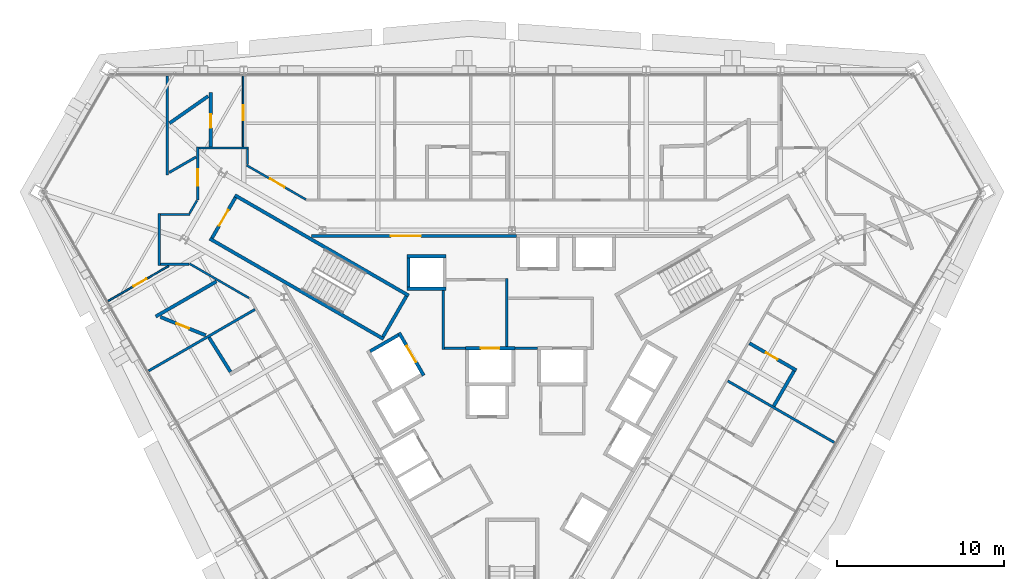
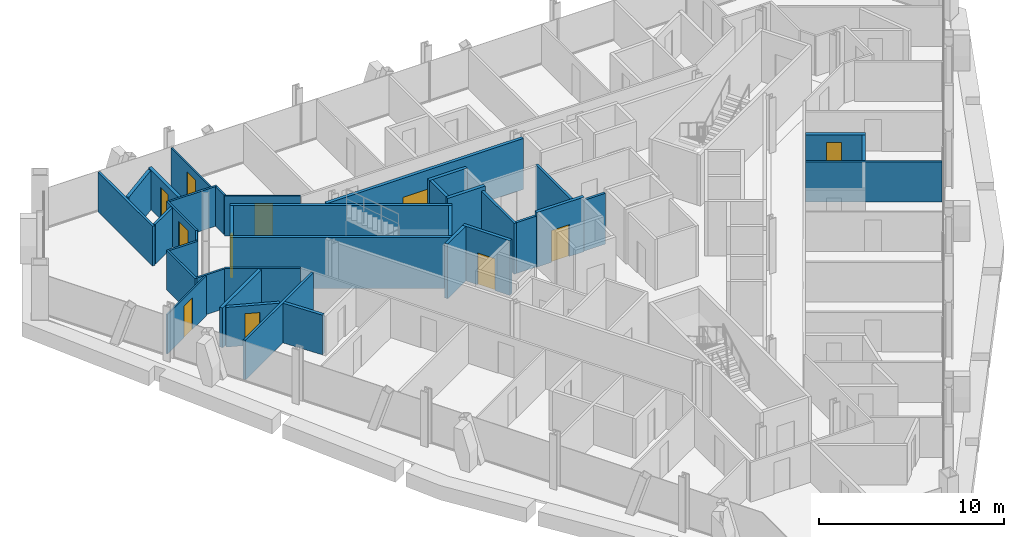
# One storey, part 12 of 16: 37 walls, 11 doors, 11 openings.
"""IFC4 building model written with IfcOpenShell, lengths in metres."""

from ifc_helpers import new_model, si_unit, direction, frame, frame_2d, origin, place, context, subcontext, project, spatial, rectangle, extrude, material, layer, layer_set, type_object, element, fill, save


model = new_model("IFC4")

# Units and contexts
model_context = context("Model", 3, precision=1e-05, world=origin(), true_north=direction((0.0, 1.0)))
body_context = subcontext(model_context, "Body", "Model", "MODEL_VIEW")
ifc_project = project(units=[si_unit("LENGTHUNIT", "METRE"), si_unit("AREAUNIT", "SQUARE_METRE"), si_unit("VOLUMEUNIT", "CUBIC_METRE"), si_unit("PLANEANGLEUNIT", "RADIAN"), si_unit("MASSUNIT", "GRAM", prefix="KILO")], contexts=[model_context])

# Site, building, storey
site_placement = place(None, origin())
site = spatial("IfcSite", under=ifc_project, at=site_placement, CompositionType="ELEMENT")
building_placement = place(site_placement, origin())
building = spatial("IfcBuilding", under=site, at=building_placement, Name="Verrane Prism Tower", CompositionType="ELEMENT")
storey_placement = place(building_placement, frame((0.0, 0.0, 107.199951171875)))
storey = spatial("IfcBuildingStorey", under=building, at=storey_placement, Name="L25", CompositionType="ELEMENT", Elevation=107.199951171875)

# Wall, opening, door
ifc_material_1 = material(Name="Gypsum board partition", Category="other")
ifc_layer_1 = layer(ifc_material_1, 0.199951171875)
ifc_layer_set_1 = layer_set([ifc_layer_1], Name="CW-200 core boundary wall 2 h")
wall_type_1 = type_object("IfcWallType", Name="CW-200 core boundary wall 2 h", PredefinedType="PARTITIONING", material=ifc_layer_set_1)
wall_1_placement = place(storey_placement, frame((0.262939453125, 8.860107421875, 0.0), z_axis=(0.0, 0.0, 1.0), x_axis=(-1.0, 0.0, 0.0)))
wall_1 = element("IfcWall", 1, at=wall_1_placement, inside=storey, type_object=wall_type_1, Name="Core boundary wall CW3-002", PredefinedType="PARTITIONING", context=body_context, shape_type="SweptSolid", body=[
    extrude(rectangle(XDim=12.25390625, YDim=0.199951171875, at=frame_2d((6.126953125, 0.0))), origin(), (0.0, 0.0, 1.0), 3.35009765625),
])
opening_1_placement = place(wall_1_placement, frame((5.708984375, 0.0, 0.0)))
opening_1 = element("IfcOpeningElement", 2, at=opening_1_placement, cuts=wall_1, Name="Opening D24511", PredefinedType="OPENING", context=body_context, shape_type="SweptSolid", body=[
    extrude(rectangle(XDim=1.800048828125, YDim=2.10009765625, at=frame_2d((0.89990234375, 1.050048828125))), frame((0.0, 0.10986328125, 0.0), z_axis=(0.0, -1.0, 0.0), x_axis=(1.0, 0.0, 0.0)), (0.0, 0.0, 1.0), 0.219970703125),
])
ifc_material_2 = material(Name="Timber veneered door leaf", Category="wood")
door_type_1 = type_object("IfcDoorType", Name="DR-1800x2100 FD60 double leaf lift lobby", OperationType="NOTDEFINED", PredefinedType="DOOR", material=ifc_material_2)
door_1_placement = place(opening_1_placement, origin())
door_1 = element("IfcDoor", 3, at=door_1_placement, inside=storey, type_object=door_type_1, Name="Lift lobby door D24511", OperationType="DOUBLE_DOOR_SINGLE_SWING", OverallHeight=2.10009765625, OverallWidth=1.800048828125, PredefinedType="DOOR", context=body_context, shape_type="SweptSolid", body=[
    extrude(rectangle(XDim=1.800048828125, YDim=2.10009765625, at=frame_2d((0.89990234375, 1.050048828125))), frame((0.0, 0.02490234375, 0.0), z_axis=(0.0, -1.0, 0.0), x_axis=(1.0, 0.0, 0.0)), (0.0, 0.0, 1.0), 0.050048828125),
])
fill(opening_1, door_1)

ifc_material_3 = material(Name="Concrete C40/50", Category="concrete")
ifc_layer_2 = layer(ifc_material_3, 0.199951171875)
ifc_layer_set_2 = layer_set([ifc_layer_2], Name="CW-200 stair core wall concrete C40/50 3 h")
wall_type_2 = type_object("IfcWallType", Name="CW-200 stair core wall concrete C40/50 3 h", PredefinedType="PARTITIONING", material=ifc_layer_set_2)
wall_2_placement = place(storey_placement, frame((-16.533935546875, 11.162353515625, 0.0), z_axis=(0.0, 0.0, 1.0), x_axis=(-0.49998411664, -0.866034573852, 0.0)))
wall_2 = element("IfcWall", 4, at=wall_2_placement, inside=storey, type_object=wall_type_2, Name="Stair 2 enclosure wall", PredefinedType="PARTITIONING", context=body_context, shape_type="SweptSolid", body=[
    extrude(rectangle(XDim=2.7998046875, YDim=0.199951171875, at=frame_2d((1.39990234375, 0.0))), origin(), (0.0, 0.0, 1.0), 3.35009765625),
])
opening_2_placement = place(wall_2_placement, frame((0.849853515625, 0.0, 0.0)))
opening_2 = element("IfcOpeningElement", 5, at=opening_2_placement, cuts=wall_2, Name="Opening D24501", PredefinedType="OPENING", context=body_context, shape_type="SweptSolid", body=[
    extrude(rectangle(XDim=1.10009765625, YDim=2.10009765625, at=frame_2d((0.550048828125, 1.050048828125))), frame((0.0, 0.10986328125, 0.0), z_axis=(0.0, -1.0, 0.0), x_axis=(1.0, 0.0, 0.0)), (0.0, 0.0, 1.0), 0.219970703125),
])
ifc_material_4 = material(Name="Timber veneered door leaf", Category="wood")
door_type_2 = type_object("IfcDoorType", Name="DR-1100x2100 FD90 single leaf stair", OperationType="NOTDEFINED", PredefinedType="DOOR", material=ifc_material_4)
door_2_placement = place(opening_2_placement, origin())
door_2 = element("IfcDoor", 6, at=door_2_placement, inside=storey, type_object=door_type_2, Name="Stair 2 door", OperationType="SINGLE_SWING_RIGHT", OverallHeight=2.10009765625, OverallWidth=1.10009765625, PredefinedType="DOOR", context=body_context, shape_type="SweptSolid", body=[
    extrude(rectangle(XDim=1.10009765625, YDim=2.10009765625, at=frame_2d((0.550048828125, 1.050048828125))), frame((0.0, 0.02490234375, 0.0), z_axis=(0.0, -1.0, 0.0), x_axis=(1.0, 0.0, 0.0)), (0.0, 0.0, 1.0), 0.050048828125),
])
fill(opening_2, door_2)

# Walls
for number, where, z_axis, x_axis, name in (
    (7, (-7.67822265625, 2.700927734375, 0.0), (0.0, 0.0, 1.0), (-0.866026010844, 0.49999894854, 0.0), "Stair 2 enclosure wall"),
    (8, (-6.17822265625, 5.299072265625, 0.0), (0.0, 0.0, 1.0), (-0.866026010844, 0.49999894854, 0.0), "Stair 2 enclosure wall"),
):
    element("IfcWall", number, at=place(storey_placement, frame(where, z_axis=z_axis, x_axis=x_axis)), inside=storey, type_object=wall_type_2, Name=name, PredefinedType="PARTITIONING", context=body_context, shape_type="SweptSolid", body=[
        extrude(rectangle(XDim=12.0, YDim=0.199951171875, at=frame_2d((6.0, 0.0))), origin(), (0.0, 0.0, 1.0), 3.35009765625),
    ])
wall_3_placement = place(storey_placement, frame((-6.314697265625, 5.262451171875, 0.0), z_axis=(0.0, 0.0, 1.0), x_axis=(-0.500049511043, -0.865996816683, 0.0)))
element("IfcWall", 9, at=wall_3_placement, inside=storey, type_object=wall_type_2, Name="Stair 2 enclosure wall", PredefinedType="PARTITIONING", context=body_context, shape_type="SweptSolid", body=[
    extrude(rectangle(XDim=2.800048828125, YDim=0.199951171875, at=frame_2d((1.39990234375, 0.0))), origin(), (0.0, 0.0, 1.0), 3.35009765625),
])

# Wall, opening, door
ifc_material_5 = material(Name="Gypsum board shaft wall assembly", Category="other")
ifc_layer_3 = layer(ifc_material_5, 0.199951171875)
ifc_layer_set_3 = layer_set([ifc_layer_3], Name="HW-200 lift shaft wall 2 h")
wall_type_3 = type_object("IfcWallType", Name="HW-200 lift shaft wall 2 h", PredefinedType="PARTITIONING", material=ifc_layer_set_3)
wall_4_placement = place(storey_placement, frame((-2.784912109375, 2.14990234375, 0.0), z_axis=(0.0, 0.0, 1.0), x_axis=(1.0, 0.0, 0.0)))
wall_4 = element("IfcWall", 10, at=wall_4_placement, inside=storey, type_object=wall_type_3, Name="Lift shaft wall", PredefinedType="PARTITIONING", context=body_context, shape_type="SweptSolid", body=[
    extrude(rectangle(XDim=2.949951171875, YDim=0.199951171875, at=frame_2d((1.47509765625, 0.0))), origin(), (0.0, 0.0, 1.0), 3.60009765625),
])
opening_3_placement = place(wall_4_placement, frame((0.925048828125, 0.0, 0.0)))
opening_3 = element("IfcOpeningElement", 11, at=opening_3_placement, cuts=wall_4, Name="Opening D24508", PredefinedType="OPENING", context=body_context, shape_type="SweptSolid", body=[
    extrude(rectangle(XDim=1.10009765625, YDim=2.10009765625, at=frame_2d((0.550048828125, 1.050048828125))), frame((0.0, 0.10986328125, 0.0), z_axis=(0.0, -1.0, 0.0), x_axis=(1.0, 0.0, 0.0)), (0.0, 0.0, 1.0), 0.219970703125),
])
ifc_material_6 = material(Name="Stainless steel sliding landing door", Category="steel")
door_type_3 = type_object("IfcDoorType", Name="LD-1100x2100 lift landing door FD90 sliding", OperationType="NOTDEFINED", PredefinedType="DOOR", material=ifc_material_6)
door_3_placement = place(opening_3_placement, origin())
door_3 = element("IfcDoor", 12, at=door_3_placement, inside=storey, type_object=door_type_3, Name="Fire service lift 1 landing door", OperationType="SLIDING_TO_LEFT", OverallHeight=2.10009765625, OverallWidth=1.10009765625, PredefinedType="DOOR", context=body_context, shape_type="SweptSolid", body=[
    extrude(rectangle(XDim=1.10009765625, YDim=2.10009765625, at=frame_2d((0.550048828125, 1.050048828125))), frame((0.0, 0.02490234375, 0.0), z_axis=(0.0, -1.0, 0.0), x_axis=(1.0, 0.0, 0.0)), (0.0, 0.0, 1.0), 0.050048828125),
])
fill(opening_3, door_3)

# Walls
for number, where, z_axis, x_axis, name in (
    (13, (-6.284912109375, 5.7099609375, 0.0), (0.0, 0.0, 1.0), (1.0, 0.0, 0.0), "Lift shaft wall"),
    (14, (-6.284912109375, 7.659912109375, 0.0), (0.0, 0.0, 1.0), (1.0, 0.0, 0.0), "Lift shaft wall"),
):
    element("IfcWall", number, at=place(storey_placement, frame(where, z_axis=z_axis, x_axis=x_axis)), inside=storey, type_object=wall_type_3, Name=name, PredefinedType="PARTITIONING", context=body_context, shape_type="SweptSolid", body=[
        extrude(rectangle(XDim=2.349853515625, YDim=0.199951171875, at=frame_2d((1.1748046875, 0.0))), origin(), (0.0, 0.0, 1.0), 3.60009765625),
    ])
wall_5_placement = place(storey_placement, frame((-8.48046875, 1.968505859375, 0.0), z_axis=(0.0, 0.0, 1.0), x_axis=(0.866000020948, 0.500043961785, 0.0)))
element("IfcWall", 15, at=wall_5_placement, inside=storey, type_object=wall_type_3, Name="Lift shaft wall", PredefinedType="PARTITIONING", context=body_context, shape_type="SweptSolid", body=[
    extrude(rectangle(XDim=1.949951171875, YDim=0.199951171875, at=frame_2d((0.97509765625, 0.0))), origin(), (0.0, 0.0, 1.0), 3.60009765625),
])
wall_6_placement = place(storey_placement, frame((-6.18505859375, 5.81005859375, 0.0), z_axis=(0.0, 0.0, 1.0), x_axis=(0.0, 1.0, 0.0)))
element("IfcWall", 16, at=wall_6_placement, inside=storey, type_object=wall_type_3, Name="Lift shaft wall", PredefinedType="PARTITIONING", context=body_context, shape_type="SweptSolid", body=[
    extrude(rectangle(XDim=1.75, YDim=0.199951171875, at=frame_2d((0.875, 0.0))), origin(), (0.0, 0.0, 1.0), 3.60009765625),
])

# Wall, opening, door
wall_7_placement = place(storey_placement, frame((-5.280029296875, 0.525390625, 0.0), z_axis=(0.0, 0.0, 1.0), x_axis=(-0.500037662692, 0.866003658127, 0.0)))
wall_7 = element("IfcWall", 17, at=wall_7_placement, inside=storey, type_object=wall_type_3, Name="Lift shaft wall", PredefinedType="PARTITIONING", context=body_context, shape_type="SweptSolid", body=[
    extrude(rectangle(XDim=2.949951171875, YDim=0.199951171875, at=frame_2d((1.47509765625, 0.0))), origin(), (0.0, 0.0, 1.0), 3.60009765625),
])
opening_4_placement = place(wall_7_placement, frame((0.925048828125, 0.0, 0.0)))
opening_4 = element("IfcOpeningElement", 18, at=opening_4_placement, cuts=wall_7, Name="Opening D24510", PredefinedType="OPENING", context=body_context, shape_type="SweptSolid", body=[
    extrude(rectangle(XDim=1.10009765625, YDim=2.10009765625, at=frame_2d((0.550048828125, 1.050048828125))), frame((0.0, 0.10986328125, 0.0), z_axis=(0.0, -1.0, 0.0), x_axis=(1.0, 0.0, 0.0)), (0.0, 0.0, 1.0), 0.219970703125),
])
door_4_placement = place(opening_4_placement, origin())
door_4 = element("IfcDoor", 19, at=door_4_placement, inside=storey, type_object=door_type_3, Name="Service lift 1 landing door", OperationType="SLIDING_TO_LEFT", OverallHeight=2.10009765625, OverallWidth=1.10009765625, PredefinedType="DOOR", context=body_context, shape_type="SweptSolid", body=[
    extrude(rectangle(XDim=1.10009765625, YDim=2.10009765625, at=frame_2d((0.550048828125, 1.050048828125))), frame((0.0, 0.02490234375, 0.0), z_axis=(0.0, -1.0, 0.0), x_axis=(1.0, 0.0, 0.0)), (0.0, 0.0, 1.0), 0.050048828125),
])
fill(opening_4, door_4)

# Walls
ifc_material_7 = material(Name="Gypsum board partition", Category="other")
ifc_layer_4 = layer(ifc_material_7, 0.14990234375)
ifc_layer_set_4 = layer_set([ifc_layer_4], Name="LF-150 firefighting lobby wall 1 h")
wall_type_4 = type_object("IfcWallType", Name="LF-150 firefighting lobby wall 1 h", PredefinedType="PARTITIONING", material=ifc_layer_set_4)
wall_8_placement = place(storey_placement, frame((-4.10009765625, 2.0849609375, 0.0), z_axis=(0.0, 0.0, 1.0), x_axis=(0.0, 1.0, 0.0)))
element("IfcWall", 20, at=wall_8_placement, inside=storey, type_object=wall_type_4, Name="Firefighting lobby wall LF1-001", PredefinedType="PARTITIONING", context=body_context, shape_type="SweptSolid", body=[
    extrude(rectangle(XDim=3.52294921875, YDim=0.14990234375, at=frame_2d((1.761474609375, 0.0))), origin(), (0.0, 0.0, 1.0), 3.35009765625),
])
wall_9_placement = place(storey_placement, frame((-4.02490234375, 2.159912109375, 0.0), z_axis=(0.0, 0.0, 1.0), x_axis=(1.0, 0.0, 0.0)))
element("IfcWall", 21, at=wall_9_placement, inside=storey, type_object=wall_type_4, Name="Firefighting lobby wall LF1-002", PredefinedType="PARTITIONING", context=body_context, shape_type="SweptSolid", body=[
    extrude(rectangle(XDim=1.23779296875, YDim=0.14990234375, at=frame_2d((0.618896484375, 0.0))), origin(), (0.0, 0.0, 1.0), 3.35009765625),
])
wall_10_placement = place(storey_placement, frame((-0.320068359375, 2.251953125, 0.0), z_axis=(0.0, 0.0, 1.0), x_axis=(0.0, 1.0, 0.0)))
element("IfcWall", 22, at=wall_10_placement, inside=storey, type_object=wall_type_4, Name="Firefighting lobby wall LF1-004", PredefinedType="PARTITIONING", context=body_context, shape_type="SweptSolid", body=[
    extrude(rectangle(XDim=4.06298828125, YDim=0.14990234375, at=frame_2d((2.031494140625, 0.0))), origin(), (0.0, 0.0, 1.0), 3.35009765625),
])
wall_11_placement = place(storey_placement, frame((0.1669921875, 2.159912109375, 0.0), z_axis=(0.0, 0.0, 1.0), x_axis=(1.0, 0.0, 0.0)))
element("IfcWall", 23, at=wall_11_placement, inside=storey, type_object=wall_type_4, Name="Firefighting lobby wall LF1-006", PredefinedType="PARTITIONING", context=body_context, shape_type="SweptSolid", body=[
    extrude(rectangle(XDim=1.35595703125, YDim=0.14990234375, at=frame_2d((0.677978515625, 0.0))), origin(), (0.0, 0.0, 1.0), 3.35009765625),
])

# Wall, opening, door
ifc_material_8 = material(Name="Gypsum board partition", Category="other")
ifc_layer_5 = layer(ifc_material_8, 0.10009765625)
ifc_layer_set_5 = layer_set([ifc_layer_5], Name="PW-100 room partition")
wall_type_5 = type_object("IfcWallType", Name="PW-100 room partition", PredefinedType="PARTITIONING", material=ifc_layer_set_5)
wall_12_placement = place(storey_placement, frame((-20.521240234375, 7.067138671875, 0.0), z_axis=(0.0, 0.0, 1.0), x_axis=(-0.866025950195, -0.499999053588, 0.0)))
wall_12 = element("IfcWall", 24, at=wall_12_placement, inside=storey, type_object=wall_type_5, Name="Room partition 001", PredefinedType="PARTITIONING", context=body_context, shape_type="SweptSolid", body=[
    extrude(rectangle(XDim=4.1767578125, YDim=0.10009765625, at=frame_2d((2.08837890625, 0.0))), origin(), (0.0, 0.0, 1.0), 2.613037109375),
])
opening_5_placement = place(wall_12_placement, frame((1.522216796875, 0.0, 0.0)))
opening_5 = element("IfcOpeningElement", 25, at=opening_5_placement, cuts=wall_12, Name="Opening D24029", PredefinedType="OPENING", context=body_context, shape_type="SweptSolid", body=[
    extrude(rectangle(XDim=0.89990234375, YDim=2.10009765625, at=frame_2d((0.449951171875, 1.050048828125))), frame((0.0, 0.06005859375, 0.0), z_axis=(0.0, -1.0, 0.0), x_axis=(1.0, 0.0, 0.0)), (0.0, 0.0, 1.0), 0.1201171875),
])
ifc_material_9 = material(Name="Timber veneered door leaf", Category="wood")
door_type_4 = type_object("IfcDoorType", Name="DR-900x2100 single leaf inner", OperationType="NOTDEFINED", PredefinedType="DOOR", material=ifc_material_9)
door_5_placement = place(opening_5_placement, origin())
door_5 = element("IfcDoor", 26, at=door_5_placement, inside=storey, type_object=door_type_4, Name="Suite Living Room door", OperationType="SINGLE_SWING_RIGHT", OverallHeight=2.10009765625, OverallWidth=0.89990234375, PredefinedType="DOOR", context=body_context, shape_type="SweptSolid", body=[
    extrude(rectangle(XDim=0.89990234375, YDim=2.10009765625, at=frame_2d((0.449951171875, 1.050048828125))), frame((0.0, 0.02490234375, 0.0), z_axis=(0.0, -1.0, 0.0), x_axis=(1.0, 0.0, 0.0)), (0.0, 0.0, 1.0), 0.050048828125),
])
fill(opening_5, door_5)

wall_13_placement = place(storey_placement, frame((-16.074951171875, 14.189453125, 0.0), z_axis=(0.0, 0.0, 1.0), x_axis=(0.0, 1.0, 0.0)))
wall_13 = element("IfcWall", 27, at=wall_13_placement, inside=storey, type_object=wall_type_5, Name="Room partition 020", PredefinedType="PARTITIONING", context=body_context, shape_type="SweptSolid", body=[
    extrude(rectangle(XDim=4.2255859375, YDim=0.10009765625, at=frame_2d((2.11279296875, 0.0))), origin(), (0.0, 0.0, 1.0), 2.613037109375),
])
opening_6_placement = place(wall_13_placement, frame((1.58740234375, 0.0, 0.0)))
opening_6 = element("IfcOpeningElement", 28, at=opening_6_placement, cuts=wall_13, Name="Opening D24026", PredefinedType="OPENING", context=body_context, shape_type="SweptSolid", body=[
    extrude(rectangle(XDim=0.89990234375, YDim=2.10009765625, at=frame_2d((0.449951171875, 1.050048828125))), frame((0.0, 0.06005859375, 0.0), z_axis=(0.0, -1.0, 0.0), x_axis=(1.0, 0.0, 0.0)), (0.0, 0.0, 1.0), 0.1201171875),
])
door_6_placement = place(opening_6_placement, origin())
door_6 = element("IfcDoor", 29, at=door_6_placement, inside=storey, type_object=door_type_4, Name="Suite Living Room door", OperationType="SINGLE_SWING_RIGHT", OverallHeight=2.10009765625, OverallWidth=0.89990234375, PredefinedType="DOOR", context=body_context, shape_type="SweptSolid", body=[
    extrude(rectangle(XDim=0.89990234375, YDim=2.10009765625, at=frame_2d((0.449951171875, 1.050048828125))), frame((0.0, 0.02490234375, 0.0), z_axis=(0.0, -1.0, 0.0), x_axis=(1.0, 0.0, 0.0)), (0.0, 0.0, 1.0), 0.050048828125),
])
fill(opening_6, door_6)

# Walls
ifc_material_10 = material(Name="Gypsum board partition", Category="other")
ifc_layer_6 = layer(ifc_material_10, 0.125)
ifc_layer_set_6 = layer_set([ifc_layer_6], Name="PW-125 corridor wall 1 h")
wall_type_6 = type_object("IfcWallType", Name="PW-125 corridor wall 1 h", PredefinedType="PARTITIONING", material=ifc_layer_set_6)
wall_14_placement = place(storey_placement, frame((-21.0869140625, 7.110595703125, 0.0), z_axis=(0.0, 0.0, 1.0), x_axis=(0.0, 1.0, 0.0)))
element("IfcWall", 30, at=wall_14_placement, inside=storey, type_object=wall_type_6, Name="Corridor wall 005", PredefinedType="PARTITIONING", context=body_context, shape_type="SweptSolid", body=[
    extrude(rectangle(XDim=3.098876953125, YDim=0.125, at=frame_2d((1.54931640625, 0.0))), origin(), (0.0, 0.0, 1.0), 2.613037109375),
])
wall_15_placement = place(storey_placement, frame((-21.02197265625, 7.173095703125, 0.0), z_axis=(0.0, 0.0, 1.0), x_axis=(1.0, 0.0, 0.0)))
element("IfcWall", 31, at=wall_15_placement, inside=storey, type_object=wall_type_6, Name="Corridor wall 006", PredefinedType="PARTITIONING", context=body_context, shape_type="SweptSolid", body=[
    extrude(rectangle(XDim=1.712890625, YDim=0.125, at=frame_2d((0.8564453125, 0.0))), origin(), (0.0, 0.0, 1.0), 2.613037109375),
])
wall_16_placement = place(storey_placement, frame((-21.02197265625, 10.14697265625, 0.0), z_axis=(0.0, 0.0, 1.0), x_axis=(1.0, 0.0, 0.0)))
element("IfcWall", 32, at=wall_16_placement, inside=storey, type_object=wall_type_6, Name="Corridor wall 007", PredefinedType="PARTITIONING", context=body_context, shape_type="SweptSolid", body=[
    extrude(rectangle(XDim=1.7705078125, YDim=0.125, at=frame_2d((0.88525390625, 0.0))), origin(), (0.0, 0.0, 1.0), 2.613037109375),
])
wall_17_placement = place(storey_placement, frame((-19.271484375, 10.220703125, 0.0), z_axis=(0.0, 0.0, 1.0), x_axis=(0.499881837328, 0.866093614288, 0.0)))
element("IfcWall", 33, at=wall_17_placement, inside=storey, type_object=wall_type_6, Name="Corridor wall 011", PredefinedType="PARTITIONING", context=body_context, shape_type="SweptSolid", body=[
    extrude(rectangle(XDim=0.884033203125, YDim=0.125, at=frame_2d((0.44189453125, 0.0))), origin(), (0.0, 0.0, 1.0), 2.613037109375),
])
wall_18_placement = place(storey_placement, frame((-19.278076171875, 7.204345703125, 0.0), z_axis=(0.0, 0.0, 1.0), x_axis=(0.865992261418, -0.50005739987, 0.0)))
element("IfcWall", 34, at=wall_18_placement, inside=storey, type_object=wall_type_6, Name="Corridor wall 013", PredefinedType="PARTITIONING", context=body_context, shape_type="SweptSolid", body=[
    extrude(rectangle(XDim=4.10107421875, YDim=0.125, at=frame_2d((2.050537109375, 0.0))), origin(), (0.0, 0.0, 1.0), 2.613037109375),
])

# Wall, opening, door
wall_19_placement = place(storey_placement, frame((-18.787109375, 10.99755859375, 0.0), z_axis=(0.0, 0.0, 1.0), x_axis=(0.0, 1.0, 0.0)))
wall_19 = element("IfcWall", 35, at=wall_19_placement, inside=storey, type_object=wall_type_6, Name="Corridor wall 014", PredefinedType="PARTITIONING", context=body_context, shape_type="SweptSolid", body=[
    extrude(rectangle(XDim=3.19189453125, YDim=0.125, at=frame_2d((1.595947265625, 0.0))), origin(), (0.0, 0.0, 1.0), 2.613037109375),
])
opening_7_placement = place(wall_19_placement, frame((0.862548828125, 0.0, 0.0)))
opening_7 = element("IfcOpeningElement", 36, at=opening_7_placement, cuts=wall_19, Name="Opening D24028", PredefinedType="OPENING", context=body_context, shape_type="SweptSolid", body=[
    extrude(rectangle(XDim=1.0, YDim=2.10009765625, at=frame_2d((0.5, 1.050048828125))), frame((0.0, 0.072509765625, 0.0), z_axis=(0.0, -1.0, 0.0), x_axis=(1.0, 0.0, 0.0)), (0.0, 0.0, 1.0), 0.14501953125),
])
ifc_material_11 = material(Name="Timber veneered door leaf", Category="wood")
door_type_5 = type_object("IfcDoorType", Name="DR-1000x2100 FD20 single leaf unit", OperationType="NOTDEFINED", PredefinedType="DOOR", material=ifc_material_11)
door_7_placement = place(opening_7_placement, origin())
door_7 = element("IfcDoor", 37, at=door_7_placement, inside=storey, type_object=door_type_5, Name="Suite Living Room door", OperationType="SINGLE_SWING_RIGHT", OverallHeight=2.10009765625, OverallWidth=1.0, PredefinedType="DOOR", context=body_context, shape_type="SweptSolid", body=[
    extrude(rectangle(XDim=1.0, YDim=2.10009765625, at=frame_2d((0.5, 1.050048828125))), frame((0.0, 0.02490234375, 0.0), z_axis=(0.0, -1.0, 0.0), x_axis=(1.0, 0.0, 0.0)), (0.0, 0.0, 1.0), 0.050048828125),
])
fill(opening_7, door_7)

# Walls
wall_20_placement = place(storey_placement, frame((-18.721923828125, 14.126953125, 0.0), z_axis=(0.0, 0.0, 1.0), x_axis=(1.0, 0.0, 0.0)))
element("IfcWall", 38, at=wall_20_placement, inside=storey, type_object=wall_type_6, Name="Corridor wall 015", PredefinedType="PARTITIONING", context=body_context, shape_type="SweptSolid", body=[
    extrude(rectangle(XDim=2.971435546875, YDim=0.125, at=frame_2d((1.48583984375, 0.0))), origin(), (0.0, 0.0, 1.0), 2.613037109375),
])
wall_21_placement = place(storey_placement, frame((-15.81298828125, 13.139892578125, 0.0), z_axis=(0.0, 0.0, 1.0), x_axis=(0.0, 1.0, 0.0)))
element("IfcWall", 39, at=wall_21_placement, inside=storey, type_object=wall_type_6, Name="Corridor wall 021", PredefinedType="PARTITIONING", context=body_context, shape_type="SweptSolid", body=[
    extrude(rectangle(XDim=0.922119140625, YDim=0.125, at=frame_2d((0.4609375, 0.0))), origin(), (0.0, 0.0, 1.0), 2.613037109375),
])

# Wall, opening, door
wall_22_placement = place(storey_placement, frame((-15.8671875, 13.086181640625, 0.0), z_axis=(0.0, 0.0, 1.0), x_axis=(0.866070231021, -0.499922348909, 0.0)))
wall_22 = element("IfcWall", 40, at=wall_22_placement, inside=storey, type_object=wall_type_6, Name="Corridor wall 022", PredefinedType="PARTITIONING", context=body_context, shape_type="SweptSolid", body=[
    extrude(rectangle(XDim=4.088134765625, YDim=0.125, at=frame_2d((2.0439453125, 0.0))), origin(), (0.0, 0.0, 1.0), 2.613037109375),
])
opening_8_placement = place(wall_22_placement, frame((1.612548828125, 0.0, 0.0)))
opening_8 = element("IfcOpeningElement", 41, at=opening_8_placement, cuts=wall_22, Name="Opening D24025", PredefinedType="OPENING", context=body_context, shape_type="SweptSolid", body=[
    extrude(rectangle(XDim=1.0, YDim=2.10009765625, at=frame_2d((0.5, 1.050048828125))), frame((0.0, 0.072509765625, 0.0), z_axis=(0.0, -1.0, 0.0), x_axis=(1.0, 0.0, 0.0)), (0.0, 0.0, 1.0), 0.14501953125),
])
door_8_placement = place(opening_8_placement, origin())
door_8 = element("IfcDoor", 42, at=door_8_placement, inside=storey, type_object=door_type_5, Name="Suite Living Room door", OperationType="SINGLE_SWING_LEFT", OverallHeight=2.10009765625, OverallWidth=1.0, PredefinedType="DOOR", context=body_context, shape_type="SweptSolid", body=[
    extrude(rectangle(XDim=1.0, YDim=2.10009765625, at=frame_2d((0.5, 1.050048828125))), frame((0.0, 0.02490234375, 0.0), z_axis=(0.0, -1.0, 0.0), x_axis=(1.0, 0.0, 0.0)), (0.0, 0.0, 1.0), 0.050048828125),
])
fill(opening_8, door_8)

# Walls
ifc_material_12 = material(Name="Gypsum board partition", Category="other")
ifc_layer_7 = layer(ifc_material_12, 0.14990234375)
ifc_layer_set_7 = layer_set([ifc_layer_7], Name="PW-150 demising wall 1 h")
wall_type_7 = type_object("IfcWallType", Name="PW-150 demising wall 1 h", PredefinedType="PARTITIONING", material=ifc_layer_set_7)
wall_23_placement = place(storey_placement, frame((-21.724609375, 0.798095703125, 0.0), z_axis=(0.0, 0.0, 1.0), x_axis=(0.866003534372, 0.50003787702, 0.0)))
element("IfcWall", 43, at=wall_23_placement, inside=storey, type_object=wall_type_7, Name="Demising wall 002", PredefinedType="PARTITIONING", context=body_context, shape_type="SweptSolid", body=[
    extrude(rectangle(XDim=7.34765625, YDim=0.14990234375, at=frame_2d((3.673828125, 0.0))), origin(), (0.0, 0.0, 1.0), 2.613037109375),
])
wall_24_placement = place(storey_placement, frame((-20.60693359375, 12.51611328125, 0.0), z_axis=(0.0, 0.0, 1.0), x_axis=(0.0, 1.0, 0.0)))
element("IfcWall", 44, at=wall_24_placement, inside=storey, type_object=wall_type_7, Name="Demising wall 008", PredefinedType="PARTITIONING", context=body_context, shape_type="SweptSolid", body=[
    extrude(rectangle(XDim=5.89892578125, YDim=0.14990234375, at=frame_2d((2.949462890625, 0.0))), origin(), (0.0, 0.0, 1.0), 2.613037109375),
])
wall_25_placement = place(storey_placement, frame((-20.494384765625, 12.656005859375, 0.0), z_axis=(0.0, 0.0, 1.0), x_axis=(0.865984062371, 0.500071598593, 0.0)))
element("IfcWall", 45, at=wall_25_placement, inside=storey, type_object=wall_type_7, Name="Demising wall 009", PredefinedType="PARTITIONING", context=body_context, shape_type="SweptSolid", body=[
    extrude(rectangle(XDim=1.856201171875, YDim=0.14990234375, at=frame_2d((0.92822265625, 0.0))), origin(), (0.0, 0.0, 1.0), 2.613037109375),
])
wall_26_placement = place(storey_placement, frame((12.892578125, 0.1953125, 0.0), z_axis=(0.0, 0.0, 1.0), x_axis=(0.865995225926, -0.500052265941, 0.0)))
element("IfcWall", 46, at=wall_26_placement, inside=storey, type_object=wall_type_7, Name="Demising wall 064", PredefinedType="PARTITIONING", context=body_context, shape_type="SweptSolid", body=[
    extrude(rectangle(XDim=7.347412109375, YDim=0.14990234375, at=frame_2d((3.673828125, 0.0))), origin(), (0.0, 0.0, 1.0), 2.613037109375),
])

# Wall, opening, door
ifc_material_13 = material(Name="Gypsum board partition", Category="other")
ifc_layer_8 = layer(ifc_material_13, 0.199951171875)
ifc_layer_set_8 = layer_set([ifc_layer_8], Name="PW-200 plumbing wall")
wall_type_8 = type_object("IfcWallType", Name="PW-200 plumbing wall", PredefinedType="PARTITIONING", material=ifc_layer_set_8)
wall_27_placement = place(storey_placement, frame((-21.02099609375, 4.02001953125, 0.0), z_axis=(0.0, 0.0, 1.0), x_axis=(0.927010502524, -0.375035369278, 0.0)))
wall_27 = element("IfcWall", 47, at=wall_27_placement, inside=storey, type_object=wall_type_8, Name="Plumbing wall 003", PredefinedType="PARTITIONING", context=body_context, shape_type="SweptSolid", body=[
    extrude(rectangle(XDim=2.919677734375, YDim=0.199951171875, at=frame_2d((1.4599609375, 0.0))), origin(), (0.0, 0.0, 1.0), 2.613037109375),
])
opening_9_placement = place(wall_27_placement, frame((1.044921875, 0.0, 0.0)))
opening_9 = element("IfcOpeningElement", 48, at=opening_9_placement, cuts=wall_27, Name="Opening D24030", PredefinedType="OPENING", context=body_context, shape_type="SweptSolid", body=[
    extrude(rectangle(XDim=0.800048828125, YDim=2.10009765625, at=frame_2d((0.39990234375, 1.050048828125))), frame((0.0, 0.10986328125, 0.0), z_axis=(0.0, -1.0, 0.0), x_axis=(1.0, 0.0, 0.0)), (0.0, 0.0, 1.0), 0.219970703125),
])
ifc_material_14 = material(Name="Timber veneered door leaf", Category="wood")
door_type_6 = type_object("IfcDoorType", Name="DR-800x2100 single leaf bath", OperationType="NOTDEFINED", PredefinedType="DOOR", material=ifc_material_14)
door_9_placement = place(opening_9_placement, origin())
door_9 = element("IfcDoor", 49, at=door_9_placement, inside=storey, type_object=door_type_6, Name="En-Suite door", OperationType="SINGLE_SWING_RIGHT", OverallHeight=2.10009765625, OverallWidth=0.800048828125, PredefinedType="DOOR", context=body_context, shape_type="SweptSolid", body=[
    extrude(rectangle(XDim=0.800048828125, YDim=2.10009765625, at=frame_2d((0.39990234375, 1.050048828125))), frame((0.0, 0.02490234375, 0.0), z_axis=(0.0, -1.0, 0.0), x_axis=(1.0, 0.0, 0.0)), (0.0, 0.0, 1.0), 0.050048828125),
])
fill(opening_9, door_9)

# Walls
wall_28_placement = place(storey_placement, frame((-21.297607421875, 4.046875, 0.0), z_axis=(0.0, 0.0, 1.0), x_axis=(0.865948008923, 0.500134027879, 0.0)))
element("IfcWall", 50, at=wall_28_placement, inside=storey, type_object=wall_type_8, Name="Plumbing wall 004", PredefinedType="PARTITIONING", context=body_context, shape_type="SweptSolid", body=[
    extrude(rectangle(XDim=4.193115234375, YDim=0.199951171875, at=frame_2d((2.0966796875, 0.0))), origin(), (0.0, 0.0, 1.0), 2.613037109375),
])
wall_29_placement = place(storey_placement, frame((-20.474609375, 15.599609375, 0.0), z_axis=(0.0, 0.0, 1.0), x_axis=(0.819231920519, 0.573462344363, 0.0)))
element("IfcWall", 51, at=wall_29_placement, inside=storey, type_object=wall_type_8, Name="Plumbing wall 010", PredefinedType="PARTITIONING", context=body_context, shape_type="SweptSolid", body=[
    extrude(rectangle(XDim=2.822265625, YDim=0.199951171875, at=frame_2d((1.4111328125, 0.0))), origin(), (0.0, 0.0, 1.0), 2.613037109375),
])
wall_30_placement = place(storey_placement, frame((-18.1123046875, 2.79345703125, 0.0), z_axis=(0.0, 0.0, 1.0), x_axis=(0.530334606404, -0.847788420097, 0.0)))
element("IfcWall", 52, at=wall_30_placement, inside=storey, type_object=wall_type_8, Name="Plumbing wall 016", PredefinedType="PARTITIONING", context=body_context, shape_type="SweptSolid", body=[
    extrude(rectangle(XDim=2.418701171875, YDim=0.199951171875, at=frame_2d((1.20947265625, 0.0))), origin(), (0.0, 0.0, 1.0), 2.613037109375),
])

# Wall, opening, door
wall_31_placement = place(storey_placement, frame((-18.007080078125, 14.189453125, 0.0), z_axis=(0.0, 0.0, 1.0), x_axis=(0.0, 1.0, 0.0)))
wall_31 = element("IfcWall", 53, at=wall_31_placement, inside=storey, type_object=wall_type_8, Name="Plumbing wall 017", PredefinedType="PARTITIONING", context=body_context, shape_type="SweptSolid", body=[
    extrude(rectangle(XDim=3.237548828125, YDim=0.199951171875, at=frame_2d((1.61865234375, 0.0))), origin(), (0.0, 0.0, 1.0), 2.613037109375),
])
opening_10_placement = place(wall_31_placement, frame((1.137451171875, 0.0, 0.0)))
opening_10 = element("IfcOpeningElement", 54, at=opening_10_placement, cuts=wall_31, Name="Opening D24027", PredefinedType="OPENING", context=body_context, shape_type="SweptSolid", body=[
    extrude(rectangle(XDim=0.800048828125, YDim=2.10009765625, at=frame_2d((0.39990234375, 1.050048828125))), frame((0.0, 0.10986328125, 0.0), z_axis=(0.0, -1.0, 0.0), x_axis=(1.0, 0.0, 0.0)), (0.0, 0.0, 1.0), 0.219970703125),
])
door_10_placement = place(opening_10_placement, origin())
door_10 = element("IfcDoor", 55, at=door_10_placement, inside=storey, type_object=door_type_6, Name="En-Suite door", OperationType="SINGLE_SWING_LEFT", OverallHeight=2.10009765625, OverallWidth=0.800048828125, PredefinedType="DOOR", context=body_context, shape_type="SweptSolid", body=[
    extrude(rectangle(XDim=0.800048828125, YDim=2.10009765625, at=frame_2d((0.39990234375, 1.050048828125))), frame((0.0, 0.02490234375, 0.0), z_axis=(0.0, -1.0, 0.0), x_axis=(1.0, 0.0, 0.0)), (0.0, 0.0, 1.0), 0.050048828125),
])
fill(opening_10, door_10)

wall_32_placement = place(storey_placement, frame((16.99169921875, 0.8310546875, 0.0), z_axis=(0.0, 0.0, 1.0), x_axis=(-0.866022073929, 0.500005767435, 0.0)))
wall_32 = element("IfcWall", 56, at=wall_32_placement, inside=storey, type_object=wall_type_8, Name="Plumbing wall 065", PredefinedType="PARTITIONING", context=body_context, shape_type="SweptSolid", body=[
    extrude(rectangle(XDim=3.232421875, YDim=0.199951171875, at=frame_2d((1.6162109375, 0.0))), origin(), (0.0, 0.0, 1.0), 2.613037109375),
])
opening_11_placement = place(wall_32_placement, frame((1.2998046875, 0.0, 0.0)))
opening_11 = element("IfcOpeningElement", 57, at=opening_11_placement, cuts=wall_32, Name="Opening D24011", PredefinedType="OPENING", context=body_context, shape_type="SweptSolid", body=[
    extrude(rectangle(XDim=0.800048828125, YDim=2.10009765625, at=frame_2d((0.39990234375, 1.050048828125))), frame((0.0, 0.10986328125, 0.0), z_axis=(0.0, -1.0, 0.0), x_axis=(1.0, 0.0, 0.0)), (0.0, 0.0, 1.0), 0.219970703125),
])
door_11_placement = place(opening_11_placement, origin())
door_11 = element("IfcDoor", 58, at=door_11_placement, inside=storey, type_object=door_type_6, Name="En-Suite door", OperationType="SINGLE_SWING_RIGHT", OverallHeight=2.10009765625, OverallWidth=0.800048828125, PredefinedType="DOOR", context=body_context, shape_type="SweptSolid", body=[
    extrude(rectangle(XDim=0.800048828125, YDim=2.10009765625, at=frame_2d((0.39990234375, 1.050048828125))), frame((0.0, 0.02490234375, 0.0), z_axis=(0.0, -1.0, 0.0), x_axis=(1.0, 0.0, 0.0)), (0.0, 0.0, 1.0), 0.050048828125),
])
fill(opening_11, door_11)

# Wall
wall_33_placement = place(storey_placement, frame((15.6455078125, -1.302001953125, 0.0), z_axis=(0.0, 0.0, 1.0), x_axis=(0.499719542643, 0.866187265377, 0.0)))
element("IfcWall", 59, at=wall_33_placement, inside=storey, type_object=wall_type_8, Name="Plumbing wall 069", PredefinedType="PARTITIONING", context=body_context, shape_type="SweptSolid", body=[
    extrude(rectangle(XDim=2.42041015625, YDim=0.199951171875, at=frame_2d((1.210205078125, 0.0))), origin(), (0.0, 0.0, 1.0), 2.613037109375),
])

save(model, "model.ifc")
